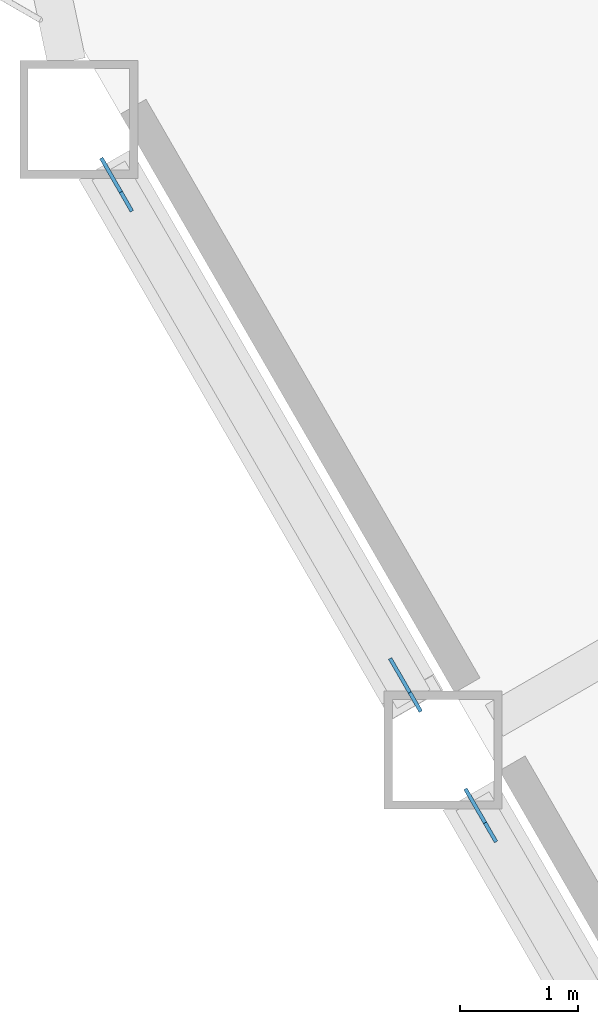
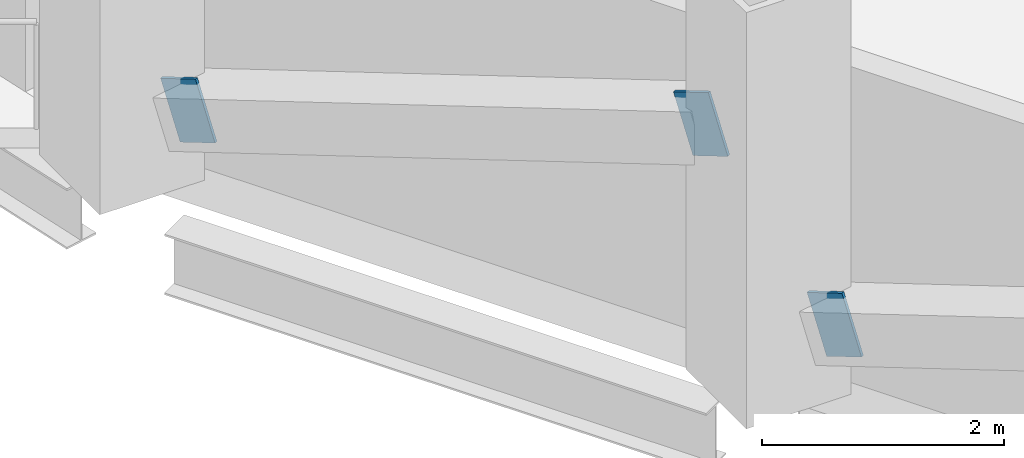
# One storey, part 14 of 21: 3 discrete accessories.
"""IFC4 building model written with IfcOpenShell, lengths in metres."""

from ifc_helpers import new_model, si_unit, direction, frame, origin, origin_2d, place, context, subcontext, project, spatial, rectangle, extrude, material, material_profile, profile_set, type_object, element, save


model = new_model("IFC4")

# Units and contexts
model_context = context("Model", 3, precision=1e-05, world=origin(), true_north=direction((0.0, 1.0)))
body_context = subcontext(model_context, "Body", "Model", "MODEL_VIEW")
ifc_project = project(units=[si_unit("LENGTHUNIT", "METRE"), si_unit("AREAUNIT", "SQUARE_METRE"), si_unit("VOLUMEUNIT", "CUBIC_METRE"), si_unit("PLANEANGLEUNIT", "RADIAN"), si_unit("MASSUNIT", "GRAM", prefix="KILO")], contexts=[model_context])

# Site, building, storey
site_placement = place(None, origin())
site = spatial("IfcSite", under=ifc_project, at=site_placement, CompositionType="ELEMENT")
building_placement = place(site_placement, origin())
building = spatial("IfcBuilding", under=site, at=building_placement, Name="Cormorant Prow Tower", CompositionType="ELEMENT")
storey_placement = place(building_placement, frame((0.0, 0.0, 42.60009765625)))
storey = spatial("IfcBuildingStorey", under=building, at=storey_placement, Name="L08", CompositionType="ELEMENT", Elevation=42.60009765625)

# Discrete accessories
ifc_material = material(Name="Structural steel ASTM A500 Gr C", Category="steel")
ifc_material_profile = material_profile(ifc_material, rectangle(XDim=0.031982421875, YDim=0.60791015625, at=origin_2d()), Name="Gusset plate 32x608")
ifc_profile_set = profile_set([ifc_material_profile], Name="Structural steel ASTM A500 Gr C")
discrete_accessory_type = type_object("IfcDiscreteAccessoryType", Name="Gusset plate 32x608", PredefinedType="BRACKET", material=ifc_profile_set)
discrete_accessory_placement = place(storey_placement, frame((-30.597900390625, -11.47021484375, 0.859130859375), z_axis=(-0.475651503409, 0.824369614413, -0.306871937683), x_axis=(-0.866161185697, -0.499764745047, 0.0)))
element("IfcDiscreteAccessory", 1, at=discrete_accessory_placement, inside=storey, type_object=discrete_accessory_type, Name="Gusset plate GP1 L08.WSW00.g0", PredefinedType="BRACKET", context=body_context, shape_type="SweptSolid", body=[
    extrude(rectangle(XDim=0.031982421875, YDim=0.60791015625, at=origin_2d()), origin(), (0.0, 0.0, 1.0), 0.35009765625),
])
for number, where, z_axis, x_axis, name in (
    (2, (-28.3173828125, -15.42041015625, 2.32958984375), (0.476464602218, -0.823872174553, 0.306946449452), (0.865660382551, 0.500631703033, 0.0), "Gusset plate GP1 L08.WSW00.g1"),
    (3, (-27.512939453125, -16.813232421875, 0.859130859375), (-0.476464602218, 0.823872174553, -0.306946449452), (-0.865660382551, -0.500631703033, 0.0), "Gusset plate GP1 L08.WSW01.g0"),
):
    element("IfcDiscreteAccessory", number, at=place(storey_placement, frame(where, z_axis=z_axis, x_axis=x_axis)), inside=storey, type_object=discrete_accessory_type, Name=name, PredefinedType="BRACKET", context=body_context, shape_type="SweptSolid", body=[
        extrude(rectangle(XDim=0.031982421875, YDim=0.60791015625, at=origin_2d()), origin(), (0.0, 0.0, 1.0), 0.349853515625),
    ])

save(model, "model.ifc")
